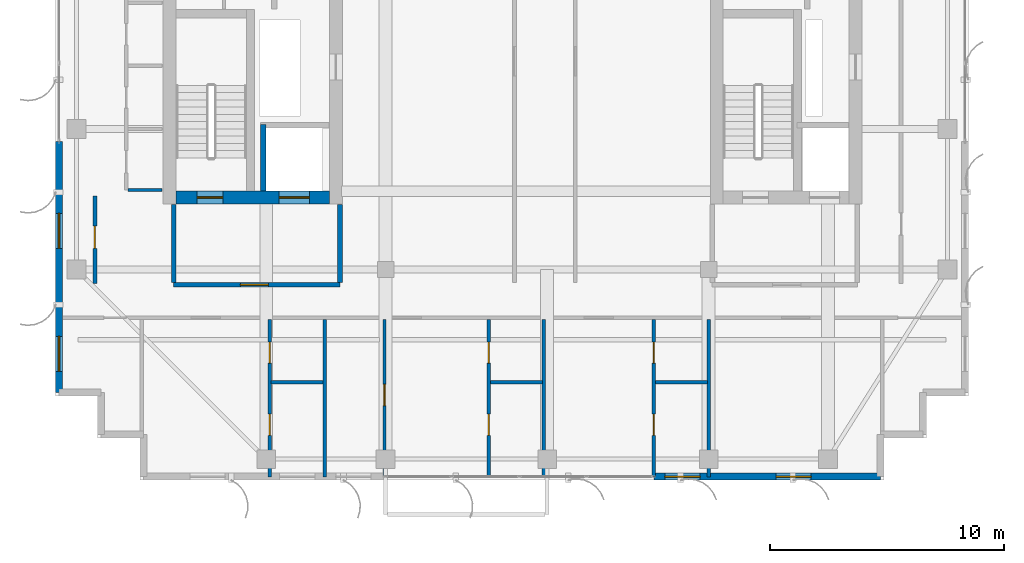
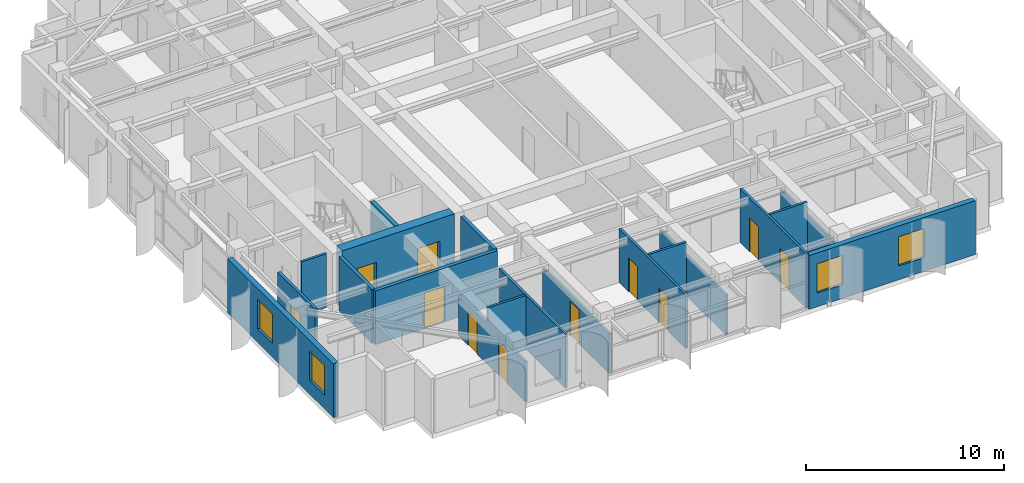
# One storey, part 18 of 23: 19 walls, 11 doors, 4 windows, 15 openings.
"""IFC4 building model written with IfcOpenShell, lengths in metres."""

from ifc_helpers import new_model, si_unit, direction, frame, frame_2d, origin, place, context, subcontext, project, spatial, rectangle, extrude, source, transform, mapped, material, layer, layer_set, type_object, element, fill, save


model = new_model("IFC4")

# Units and contexts
model_context = context("Model", 3, precision=1e-05, world=origin(), true_north=direction((0.0, 1.0)))
body_context = subcontext(model_context, "Body", "Model", "MODEL_VIEW")
ifc_project = project(units=[si_unit("LENGTHUNIT", "METRE"), si_unit("AREAUNIT", "SQUARE_METRE"), si_unit("VOLUMEUNIT", "CUBIC_METRE"), si_unit("PLANEANGLEUNIT", "RADIAN"), si_unit("MASSUNIT", "GRAM", prefix="KILO")], contexts=[model_context])

# Site, building, storey
site_placement = place(None, origin())
site = spatial("IfcSite", under=ifc_project, at=site_placement, CompositionType="ELEMENT")
building_placement = place(site_placement, origin())
building = spatial("IfcBuilding", under=site, at=building_placement, Name="Khoralis Quay Care Tower", CompositionType="ELEMENT")
storey_placement = place(building_placement, frame((0.0, 0.0, 270.89990234375)))
storey = spatial("IfcBuildingStorey", under=building, at=storey_placement, Name="L71", CompositionType="ELEMENT", Elevation=270.89990234375)

# Wall, opening, door
ifc_material_1 = material(Name="Gypsum plasterboard on acoustic metal stud")
ifc_layer_1 = layer(ifc_material_1, 0.199951171875)
ifc_layer_set_1 = layer_set([ifc_layer_1], Name="Gypsum plasterboard on acoustic metal stud")
wall_type_1 = type_object("IfcWallType", Name="WL-COMP-200", PredefinedType="PARTITIONING", material=ifc_layer_set_1)
wall_1_placement = place(storey_placement, frame((8.050048828125, 11.35009765625, 0.0), z_axis=(0.0, 0.0, 1.0), x_axis=(1.0, 0.0, 0.0)))
wall_1 = element("IfcWall", 1, at=wall_1_placement, inside=storey, type_object=wall_type_1, Name="L71 West Firefighting Lobby South Wall", PredefinedType="PARTITIONING", context=body_context, shape_type="SweptSolid", body=[
    extrude(rectangle(XDim=7.099853515625, YDim=0.199951171875, at=frame_2d((3.5498046875, 0.0))), origin(), (0.0, 0.0, 1.0), 3.320068359375),
])
opening_1_placement = place(wall_1_placement, frame((2.846435546875, 0.0, 0.0)))
opening_1 = element("IfcOpeningElement", 2, at=opening_1_placement, cuts=wall_1, Name="Opening FD1", PredefinedType="OPENING", context=body_context, shape_type="SweptSolid", body=[
    extrude(rectangle(XDim=1.199951171875, YDim=2.199951171875, at=frame_2d((0.60009765625, 1.10009765625))), frame((0.0, 0.10986328125, 0.0), z_axis=(0.0, -1.0, 0.0), x_axis=(1.0, 0.0, 0.0)), (0.0, 0.0, 1.0), 0.219970703125),
])
ifc_material_2 = material(Name="Fire-rated painted steel", Category="steel")
door_type_1 = type_object("IfcDoorType", Name="DR-FFL-1200X2200", OperationType="NOTDEFINED", PredefinedType="DOOR", material=ifc_material_2)
shared_shape_1 = source(origin(), body_context, "Body", "SweptSolid", [
    extrude(rectangle(XDim=1.199951171875, YDim=2.199951171875, at=frame_2d((0.60009765625, 1.10009765625))), frame((0.0, 0.02490234375, 0.0), z_axis=(0.0, -1.0, 0.0), x_axis=(1.0, 0.0, 0.0)), (0.0, 0.0, 1.0), 0.050048828125),
])
door_1_placement = place(opening_1_placement, origin())
door_1 = element("IfcDoor", 3, at=door_1_placement, inside=storey, type_object=door_type_1, Name="L71 West Firefighting Lobby Fire Door", OperationType="SINGLE_SWING_LEFT", OverallHeight=2.199951171875, OverallWidth=1.199951171875, PredefinedType="DOOR", context=body_context, shape_type="MappedRepresentation", body=[
    mapped(shared_shape_1, transform((0.0, 0.0, 0.0), scale=1.0)),
])
fill(opening_1, door_1)

# Walls
for number, where, z_axis, x_axis, name in (
    (4, (8.050048828125, 11.445068359375, 0.0), (0.0, 0.0, 1.0), (0.0, 1.0, 0.0), "L71 West Firefighting Lobby West Wall"),
    (5, (15.14990234375, 11.445068359375, 0.0), (0.0, 0.0, 1.0), (0.0, 1.0, 0.0), "L71 West Firefighting Lobby East Wall"),
):
    element("IfcWall", number, at=place(storey_placement, frame(where, z_axis=z_axis, x_axis=x_axis)), inside=storey, type_object=wall_type_1, Name=name, PredefinedType="PARTITIONING", context=body_context, shape_type="SweptSolid", body=[
        extrude(rectangle(XDim=3.3349609375, YDim=0.199951171875, at=frame_2d((1.66748046875, 0.0))), origin(), (0.0, 0.0, 1.0), 3.320068359375),
    ])

# Wall, openings, doors
ifc_material_3 = material(Name="Concrete C65/80", Category="concrete")
ifc_layer_2 = layer(ifc_material_3, 0.550048828125)
ifc_layer_set_2 = layer_set([ifc_layer_2], Name="Concrete C65/80")
wall_type_2 = type_object("IfcWallType", Name="WL-CORE-550", PredefinedType="SHEAR", material=ifc_layer_set_2)
wall_2_placement = place(storey_placement, frame((8.14990234375, 15.074951171875, 0.0), z_axis=(0.0, 0.0, 1.0), x_axis=(1.0, 0.0, 0.0)))
wall_2 = element("IfcWall", 6, at=wall_2_placement, inside=storey, type_object=wall_type_2, Name="L71 WCORE South Shear Wall", PredefinedType="SHEAR", context=body_context, shape_type="SweptSolid", body=[
    extrude(rectangle(XDim=6.550048828125, YDim=0.550048828125, at=frame_2d((3.27490234375, 0.0))), origin(), (0.0, 0.0, 1.0), 3.60009765625),
])
opening_2_placement = place(wall_2_placement, frame((0.89990234375, 0.0, 0.0)))
opening_2 = element("IfcOpeningElement", 7, at=opening_2_placement, cuts=wall_2, Name="Opening SD1", PredefinedType="OPENING", context=body_context, shape_type="SweptSolid", body=[
    extrude(rectangle(XDim=1.10009765625, YDim=2.199951171875, at=frame_2d((0.550048828125, 1.10009765625))), frame((0.0, 0.28515625, 0.0), z_axis=(0.0, -1.0, 0.0), x_axis=(1.0, 0.0, 0.0)), (0.0, 0.0, 1.0), 0.570068359375),
])
opening_3_placement = place(wall_2_placement, frame((4.39990234375, 0.0, 0.0)))
opening_3 = element("IfcOpeningElement", 8, at=opening_3_placement, cuts=wall_2, Name="Opening LD2", PredefinedType="OPENING", context=body_context, shape_type="SweptSolid", body=[
    extrude(rectangle(XDim=1.300048828125, YDim=2.199951171875, at=frame_2d((0.64990234375, 1.10009765625))), frame((0.0, 0.28515625, 0.0), z_axis=(0.0, -1.0, 0.0), x_axis=(1.0, 0.0, 0.0)), (0.0, 0.0, 1.0), 0.570068359375),
])
door_type_2 = type_object("IfcDoorType", Name="DR-STAIR-1100X2200", OperationType="NOTDEFINED", PredefinedType="DOOR", material=ifc_material_2)
shared_shape_2 = source(origin(), body_context, "Body", "SweptSolid", [
    extrude(rectangle(XDim=1.10009765625, YDim=2.199951171875, at=frame_2d((0.550048828125, 1.10009765625))), frame((0.0, 0.02490234375, 0.0), z_axis=(0.0, -1.0, 0.0), x_axis=(1.0, 0.0, 0.0)), (0.0, 0.0, 1.0), 0.050048828125),
])
door_2_placement = place(opening_2_placement, origin())
door_2 = element("IfcDoor", 9, at=door_2_placement, inside=storey, type_object=door_type_2, Name="L71 Stair ST-T1 Fire Door", OperationType="SINGLE_SWING_LEFT", OverallHeight=2.199951171875, OverallWidth=1.10009765625, PredefinedType="DOOR", context=body_context, shape_type="MappedRepresentation", body=[
    mapped(shared_shape_2, transform((0.0, 0.0, 0.0), scale=1.0)),
])
fill(opening_2, door_2)
ifc_material_4 = material(Name="Brushed stainless steel", Category="steel")
door_type_3 = type_object("IfcDoorType", Name="DR-LIFT-1300X2200", OperationType="SLIDING_TO_RIGHT", PredefinedType="DOOR", material=ifc_material_4)
shared_shape_3 = source(origin(), body_context, "Body", "SweptSolid", [
    extrude(rectangle(XDim=1.300048828125, YDim=2.199951171875, at=frame_2d((0.64990234375, 1.10009765625))), frame((0.0, 0.02490234375, 0.0), z_axis=(0.0, -1.0, 0.0), x_axis=(1.0, 0.0, 0.0)), (0.0, 0.0, 1.0), 0.050048828125),
])
door_3_placement = place(opening_3_placement, origin())
door_3 = element("IfcDoor", 10, at=door_3_placement, inside=storey, type_object=door_type_3, Name="L71 Firefighting Lift FFL-1 Landing Door", OperationType="SLIDING_TO_RIGHT", OverallHeight=2.199951171875, OverallWidth=1.300048828125, PredefinedType="DOOR", context=body_context, shape_type="MappedRepresentation", body=[
    mapped(shared_shape_3, transform((0.0, 0.0, 0.0), scale=1.0)),
])
fill(opening_3, door_3)

# Wall, opening, door
ifc_layer_3 = layer(ifc_material_1, 0.1650390625)
ifc_layer_set_3 = layer_set([ifc_layer_3], Name="Gypsum plasterboard on acoustic metal stud")
wall_type_3 = type_object("IfcWallType", Name="WL-CORR-165", PredefinedType="PARTITIONING", material=ifc_layer_set_3)
wall_3_placement = place(storey_placement, frame((4.679931640625, 11.39990234375, 0.0), z_axis=(0.0, 0.0, 1.0), x_axis=(0.0, 1.0, 0.0)))
wall_3 = element("IfcWall", 11, at=wall_3_placement, inside=storey, type_object=wall_type_3, Name="L71 West Sky Sunroom South Wall", PredefinedType="PARTITIONING", context=body_context, shape_type="SweptSolid", body=[
    extrude(rectangle(XDim=3.75, YDim=0.1650390625, at=frame_2d((1.875, 0.0))), origin(), (0.0, 0.0, 1.0), 3.320068359375),
])
opening_4_placement = place(wall_3_placement, frame((1.5, 0.0, 0.0)))
opening_4 = element("IfcOpeningElement", 12, at=opening_4_placement, cuts=wall_3, Name="Opening ID1", PredefinedType="OPENING", context=body_context, shape_type="SweptSolid", body=[
    extrude(rectangle(XDim=0.949951171875, YDim=2.10009765625, at=frame_2d((0.47509765625, 1.050048828125))), frame((0.0, 0.092529296875, 0.0), z_axis=(0.0, -1.0, 0.0), x_axis=(1.0, 0.0, 0.0)), (0.0, 0.0, 1.0), 0.18505859375),
])
ifc_material_5 = material(Name="Acoustic hardwood timber", Category="wood")
door_type_4 = type_object("IfcDoorType", Name="DR-ROOM-950X2100", OperationType="NOTDEFINED", PredefinedType="DOOR", material=ifc_material_5)
shared_shape_4 = source(origin(), body_context, "Body", "SweptSolid", [
    extrude(rectangle(XDim=0.949951171875, YDim=2.10009765625, at=frame_2d((0.47509765625, 1.050048828125))), frame((0.0, 0.02490234375, 0.0), z_axis=(0.0, -1.0, 0.0), x_axis=(1.0, 0.0, 0.0)), (0.0, 0.0, 1.0), 0.050048828125),
])
door_4_placement = place(opening_4_placement, frame((0.949951171875, 0.0, 0.0), z_axis=(0.0, 0.0, 1.0), x_axis=(-1.0, 0.0, 0.0)))
door_4 = element("IfcDoor", 13, at=door_4_placement, inside=storey, type_object=door_type_4, Name="L71 West Sunroom Door", OperationType="SINGLE_SWING_LEFT", OverallHeight=2.10009765625, OverallWidth=0.949951171875, PredefinedType="DOOR", context=body_context, shape_type="MappedRepresentation", body=[
    mapped(shared_shape_4, transform((0.0, 0.0, 0.0), scale=1.0)),
])
fill(opening_4, door_4)

# Wall, openings, windows
ifc_material_6 = material(Name="Precast concrete C45/55", Category="concrete")
ifc_layer_4 = layer(ifc_material_6, 0.300048828125)
ifc_layer_set_4 = layer_set([ifc_layer_4], Name="Precast concrete C45/55")
wall_type_4 = type_object("IfcWallType", Name="WL-EXT-REF-300", PredefinedType="SOLIDWALL", material=ifc_layer_set_4)
wall_4_placement = place(storey_placement, frame((28.56005859375, 3.14990234375, 0.0), z_axis=(0.0, 0.0, 1.0), x_axis=(1.0, 0.0, 0.0)))
wall_4 = element("IfcWall", 14, at=wall_4_placement, inside=storey, type_object=wall_type_4, Name="L71 External Facade Wall WL-EXT-L71-P1-E0B", PredefinedType="SOLIDWALL", context=body_context, shape_type="SweptSolid", body=[
    extrude(rectangle(XDim=9.68994140625, YDim=0.300048828125, at=frame_2d((4.844970703125, 0.0))), origin(), (0.0, 0.0, 1.0), 3.320068359375),
])
opening_5_placement = place(wall_4_placement, frame((0.47509765625, 0.0, 0.85009765625)))
opening_5 = element("IfcOpeningElement", 15, at=opening_5_placement, cuts=wall_4, Name="Opening W3", PredefinedType="OPENING", context=body_context, shape_type="SweptSolid", body=[
    extrude(rectangle(XDim=1.5, YDim=1.800048828125, at=frame_2d((0.75, 0.89990234375))), frame((0.0, 0.16015625, 0.0), z_axis=(0.0, -1.0, 0.0), x_axis=(1.0, 0.0, 0.0)), (0.0, 0.0, 1.0), 0.320068359375),
])
opening_6_placement = place(wall_4_placement, frame((5.219970703125, 0.0, 0.85009765625)))
opening_6 = element("IfcOpeningElement", 16, at=opening_6_placement, cuts=wall_4, Name="Opening W3", PredefinedType="OPENING", context=body_context, shape_type="SweptSolid", body=[
    extrude(rectangle(XDim=1.5, YDim=1.800048828125, at=frame_2d((0.75, 0.89990234375))), frame((0.0, 0.16015625, 0.0), z_axis=(0.0, -1.0, 0.0), x_axis=(1.0, 0.0, 0.0)), (0.0, 0.0, 1.0), 0.320068359375),
])
ifc_material_7 = material(Name="Low-E solar-control double glazing", Category="glass")
window_type = type_object("IfcWindowType", Name="WN-CLIN-1500X1800", PartitioningType="SINGLE_PANEL", PredefinedType="WINDOW", material=ifc_material_7)
shared_shape_5 = source(origin(), body_context, "Body", "SweptSolid", [
    extrude(rectangle(XDim=1.5, YDim=1.800048828125, at=frame_2d((0.75, 0.89990234375))), frame((0.0, 0.030029296875, 0.0), z_axis=(0.0, -1.0, 0.0), x_axis=(1.0, 0.0, 0.0)), (0.0, 0.0, 1.0), 0.06005859375),
])
window_1_placement = place(opening_5_placement, origin())
window_1 = element("IfcWindow", 17, at=window_1_placement, inside=storey, type_object=window_type, Name="WN-L71-P1-E0B Facade Window 01", OverallHeight=1.800048828125, OverallWidth=1.5, PartitioningType="SINGLE_PANEL", PredefinedType="WINDOW", context=body_context, shape_type="MappedRepresentation", body=[
    mapped(shared_shape_5, transform((0.0, 0.0, 0.0), scale=1.0)),
])
fill(opening_5, window_1)
window_2_placement = place(opening_6_placement, origin())
window_2 = element("IfcWindow", 18, at=window_2_placement, inside=storey, type_object=window_type, Name="WN-L71-P1-E0B Facade Window 02", OverallHeight=1.800048828125, OverallWidth=1.5, PartitioningType="SINGLE_PANEL", PredefinedType="WINDOW", context=body_context, shape_type="MappedRepresentation", body=[
    mapped(shared_shape_5, transform((0.0, 0.0, 0.0), scale=1.0)),
])
fill(opening_6, window_2)

wall_5_placement = place(storey_placement, frame((3.14990234375, 17.4599609375, 0.0), z_axis=(0.0, 0.0, 1.0), x_axis=(0.0, -1.0, 0.0)))
wall_5 = element("IfcWall", 19, at=wall_5_placement, inside=storey, type_object=wall_type_4, Name="L71 External Facade Wall WL-EXT-L71-P1-E15B", PredefinedType="SOLIDWALL", context=body_context, shape_type="SweptSolid", body=[
    extrude(rectangle(XDim=10.7099609375, YDim=0.300048828125, at=frame_2d((5.35498046875, 0.0))), origin(), (0.0, 0.0, 1.0), 3.320068359375),
])
opening_7_placement = place(wall_5_placement, frame((3.06005859375, 0.0, 0.85009765625)))
opening_7 = element("IfcOpeningElement", 20, at=opening_7_placement, cuts=wall_5, Name="Opening W3", PredefinedType="OPENING", context=body_context, shape_type="SweptSolid", body=[
    extrude(rectangle(XDim=1.5, YDim=1.800048828125, at=frame_2d((0.75, 0.89990234375))), frame((0.0, 0.16015625, 0.0), z_axis=(0.0, -1.0, 0.0), x_axis=(1.0, 0.0, 0.0)), (0.0, 0.0, 1.0), 0.320068359375),
])
opening_8_placement = place(wall_5_placement, frame((8.31494140625, 0.0, 0.85009765625)))
opening_8 = element("IfcOpeningElement", 21, at=opening_8_placement, cuts=wall_5, Name="Opening W3", PredefinedType="OPENING", context=body_context, shape_type="SweptSolid", body=[
    extrude(rectangle(XDim=1.5, YDim=1.800048828125, at=frame_2d((0.75, 0.89990234375))), frame((0.0, 0.16015625, 0.0), z_axis=(0.0, -1.0, 0.0), x_axis=(1.0, 0.0, 0.0)), (0.0, 0.0, 1.0), 0.320068359375),
])
window_3_placement = place(opening_7_placement, origin())
window_3 = element("IfcWindow", 22, at=window_3_placement, inside=storey, type_object=window_type, Name="WN-L71-P1-E15B Facade Window 01", OverallHeight=1.800048828125, OverallWidth=1.5, PartitioningType="SINGLE_PANEL", PredefinedType="WINDOW", context=body_context, shape_type="MappedRepresentation", body=[
    mapped(shared_shape_5, transform((0.0, 0.0, 0.0), scale=1.0)),
])
fill(opening_7, window_3)
window_4_placement = place(opening_8_placement, origin())
window_4 = element("IfcWindow", 23, at=window_4_placement, inside=storey, type_object=window_type, Name="WN-L71-P1-E15B Facade Window 02", OverallHeight=1.800048828125, OverallWidth=1.5, PartitioningType="SINGLE_PANEL", PredefinedType="WINDOW", context=body_context, shape_type="MappedRepresentation", body=[
    mapped(shared_shape_5, transform((0.0, 0.0, 0.0), scale=1.0)),
])
fill(opening_8, window_4)

# Wall, openings, doors
ifc_material_8 = material(Name="Moisture-resistant gypsum and ceramic tile")
ifc_layer_5 = layer(ifc_material_8, 0.280029296875)
ifc_layer_set_5 = layer_set([ifc_layer_5], Name="Moisture-resistant gypsum and ceramic tile")
wall_type_5 = type_object("IfcWallType", Name="WL-PLUMB-280", PredefinedType="PLUMBINGWALL", material=ifc_layer_set_5)
wall_6_placement = place(storey_placement, frame((12.14990234375, 3.14501953125, 0.0), z_axis=(0.0, 0.0, 1.0), x_axis=(0.0, 1.0, 0.0)))
wall_6 = element("IfcWall", 24, at=wall_6_placement, inside=storey, type_object=wall_type_5, Name="L71 Care Suite 0 En-Suite Wall V", PredefinedType="PLUMBINGWALL", context=body_context, shape_type="SweptSolid", body=[
    extrude(rectangle(XDim=6.717529296875, YDim=0.139892578125, at=frame_2d((3.35888671875, 0.0))), origin(), (0.0, 0.0, 1.0), 2.47021484375),
])
opening_9_placement = place(wall_6_placement, frame((4.85498046875, 0.0, 0.0)))
opening_9 = element("IfcOpeningElement", 25, at=opening_9_placement, cuts=wall_6, Name="Opening WD1", PredefinedType="OPENING", context=body_context, shape_type="SweptSolid", body=[
    extrude(rectangle(XDim=0.89990234375, YDim=2.10009765625, at=frame_2d((0.449951171875, 1.050048828125))), frame((0.0, 0.080078125, 0.0), z_axis=(0.0, -1.0, 0.0), x_axis=(1.0, 0.0, 0.0)), (0.0, 0.0, 1.0), 0.159912109375),
])
opening_10_placement = place(wall_6_placement, frame((1.77490234375, 0.0, 0.0)))
opening_10 = element("IfcOpeningElement", 26, at=opening_10_placement, cuts=wall_6, Name="Opening WD1", PredefinedType="OPENING", context=body_context, shape_type="SweptSolid", body=[
    extrude(rectangle(XDim=0.89990234375, YDim=2.10009765625, at=frame_2d((0.449951171875, 1.050048828125))), frame((0.0, 0.080078125, 0.0), z_axis=(0.0, -1.0, 0.0), x_axis=(1.0, 0.0, 0.0)), (0.0, 0.0, 1.0), 0.159912109375),
])
door_type_5 = type_object("IfcDoorType", Name="DR-BATH-900X2100", OperationType="NOTDEFINED", PredefinedType="DOOR", material=ifc_material_5)
shared_shape_6 = source(origin(), body_context, "Body", "SweptSolid", [
    extrude(rectangle(XDim=0.89990234375, YDim=2.10009765625, at=frame_2d((0.449951171875, 1.050048828125))), frame((0.0, 0.02490234375, 0.0), z_axis=(0.0, -1.0, 0.0), x_axis=(1.0, 0.0, 0.0)), (0.0, 0.0, 1.0), 0.050048828125),
])
door_5_placement = place(opening_9_placement, frame((0.89990234375, 0.0, 0.0), z_axis=(0.0, 0.0, 1.0), x_axis=(-1.0, 0.0, 0.0)))
door_5 = element("IfcDoor", 27, at=door_5_placement, inside=storey, type_object=door_type_5, Name="L71 Care CENS Door", OperationType="SINGLE_SWING_RIGHT", OverallHeight=2.10009765625, OverallWidth=0.89990234375, PredefinedType="DOOR", context=body_context, shape_type="MappedRepresentation", body=[
    mapped(shared_shape_6, transform((0.0, 0.0, 0.0), scale=1.0)),
])
fill(opening_9, door_5)
door_6_placement = place(opening_10_placement, frame((0.89990234375, 0.0, 0.0), z_axis=(0.0, 0.0, 1.0), x_axis=(-1.0, 0.0, 0.0)))
door_6 = element("IfcDoor", 28, at=door_6_placement, inside=storey, type_object=door_type_5, Name="L71 Care CSIT Door", OperationType="SINGLE_SWING_LEFT", OverallHeight=2.10009765625, OverallWidth=0.89990234375, PredefinedType="DOOR", context=body_context, shape_type="MappedRepresentation", body=[
    mapped(shared_shape_6, transform((0.0, 0.0, 0.0), scale=1.0)),
])
fill(opening_10, door_6)

# Wall
wall_7_placement = place(storey_placement, frame((12.215087890625, 7.18994140625, 0.0), z_axis=(0.0, 0.0, 1.0), x_axis=(1.0, 0.0, 0.0)))
element("IfcWall", 29, at=wall_7_placement, inside=storey, type_object=wall_type_5, Name="L71 Care Suite 0 En-Suite Wall H", PredefinedType="PLUMBINGWALL", context=body_context, shape_type="SweptSolid", body=[
    extrude(rectangle(XDim=2.219970703125, YDim=0.139892578125, at=frame_2d((1.10986328125, 0.0))), origin(), (0.0, 0.0, 1.0), 3.320068359375),
])

# Wall, openings, doors
wall_8_placement = place(storey_placement, frame((21.510009765625, 3.14501953125, 0.0), z_axis=(0.0, 0.0, 1.0), x_axis=(0.0, 1.0, 0.0)))
wall_8 = element("IfcWall", 30, at=wall_8_placement, inside=storey, type_object=wall_type_5, Name="L71 Care Suite 1 En-Suite Wall V", PredefinedType="PLUMBINGWALL", context=body_context, shape_type="SweptSolid", body=[
    extrude(rectangle(XDim=6.717529296875, YDim=0.139892578125, at=frame_2d((3.35888671875, 0.0))), origin(), (0.0, 0.0, 1.0), 3.320068359375),
])
opening_11_placement = place(wall_8_placement, frame((4.85498046875, 0.0, 0.0)))
opening_11 = element("IfcOpeningElement", 31, at=opening_11_placement, cuts=wall_8, Name="Opening WD1", PredefinedType="OPENING", context=body_context, shape_type="SweptSolid", body=[
    extrude(rectangle(XDim=0.89990234375, YDim=2.10009765625, at=frame_2d((0.449951171875, 1.050048828125))), frame((0.0, 0.080078125, 0.0), z_axis=(0.0, -1.0, 0.0), x_axis=(1.0, 0.0, 0.0)), (0.0, 0.0, 1.0), 0.159912109375),
])
opening_12_placement = place(wall_8_placement, frame((1.77490234375, 0.0, 0.0)))
opening_12 = element("IfcOpeningElement", 32, at=opening_12_placement, cuts=wall_8, Name="Opening WD1", PredefinedType="OPENING", context=body_context, shape_type="SweptSolid", body=[
    extrude(rectangle(XDim=0.89990234375, YDim=2.10009765625, at=frame_2d((0.449951171875, 1.050048828125))), frame((0.0, 0.080078125, 0.0), z_axis=(0.0, -1.0, 0.0), x_axis=(1.0, 0.0, 0.0)), (0.0, 0.0, 1.0), 0.159912109375),
])
door_7_placement = place(opening_11_placement, frame((0.89990234375, 0.0, 0.0), z_axis=(0.0, 0.0, 1.0), x_axis=(-1.0, 0.0, 0.0)))
door_7 = element("IfcDoor", 33, at=door_7_placement, inside=storey, type_object=door_type_5, Name="L71 Care CENS Door", OperationType="SINGLE_SWING_LEFT", OverallHeight=2.10009765625, OverallWidth=0.89990234375, PredefinedType="DOOR", context=body_context, shape_type="MappedRepresentation", body=[
    mapped(shared_shape_6, transform((0.0, 0.0, 0.0), scale=1.0)),
])
fill(opening_11, door_7)
door_8_placement = place(opening_12_placement, frame((0.89990234375, 0.0, 0.0), z_axis=(0.0, 0.0, 1.0), x_axis=(-1.0, 0.0, 0.0)))
door_8 = element("IfcDoor", 34, at=door_8_placement, inside=storey, type_object=door_type_5, Name="L71 Care CSIT Door", OperationType="SINGLE_SWING_RIGHT", OverallHeight=2.10009765625, OverallWidth=0.89990234375, PredefinedType="DOOR", context=body_context, shape_type="MappedRepresentation", body=[
    mapped(shared_shape_6, transform((0.0, 0.0, 0.0), scale=1.0)),
])
fill(opening_12, door_8)

# Wall
wall_9_placement = place(storey_placement, frame((21.574951171875, 7.18994140625, 0.0), z_axis=(0.0, 0.0, 1.0), x_axis=(1.0, 0.0, 0.0)))
element("IfcWall", 35, at=wall_9_placement, inside=storey, type_object=wall_type_5, Name="L71 Care Suite 1 En-Suite Wall H", PredefinedType="PLUMBINGWALL", context=body_context, shape_type="SweptSolid", body=[
    extrude(rectangle(XDim=2.219970703125, YDim=0.139892578125, at=frame_2d((1.10986328125, 0.0))), origin(), (0.0, 0.0, 1.0), 3.320068359375),
])

# Wall, openings, doors
wall_10_placement = place(storey_placement, frame((28.56005859375, 3.14501953125, 0.0), z_axis=(0.0, 0.0, 1.0), x_axis=(0.0, 1.0, 0.0)))
wall_10 = element("IfcWall", 36, at=wall_10_placement, inside=storey, type_object=wall_type_5, Name="L71 Care Suite 2 En-Suite Wall V", PredefinedType="PLUMBINGWALL", context=body_context, shape_type="SweptSolid", body=[
    extrude(rectangle(XDim=6.717529296875, YDim=0.139892578125, at=frame_2d((3.35888671875, 0.0))), origin(), (0.0, 0.0, 1.0), 3.320068359375),
])
opening_13_placement = place(wall_10_placement, frame((4.85498046875, 0.0, 0.0)))
opening_13 = element("IfcOpeningElement", 37, at=opening_13_placement, cuts=wall_10, Name="Opening WD1", PredefinedType="OPENING", context=body_context, shape_type="SweptSolid", body=[
    extrude(rectangle(XDim=0.89990234375, YDim=2.10009765625, at=frame_2d((0.449951171875, 1.050048828125))), frame((0.0, 0.080078125, 0.0), z_axis=(0.0, -1.0, 0.0), x_axis=(1.0, 0.0, 0.0)), (0.0, 0.0, 1.0), 0.159912109375),
])
opening_14_placement = place(wall_10_placement, frame((1.77490234375, 0.0, 0.0)))
opening_14 = element("IfcOpeningElement", 38, at=opening_14_placement, cuts=wall_10, Name="Opening WD1", PredefinedType="OPENING", context=body_context, shape_type="SweptSolid", body=[
    extrude(rectangle(XDim=0.89990234375, YDim=2.10009765625, at=frame_2d((0.449951171875, 1.050048828125))), frame((0.0, 0.080078125, 0.0), z_axis=(0.0, -1.0, 0.0), x_axis=(1.0, 0.0, 0.0)), (0.0, 0.0, 1.0), 0.159912109375),
])
door_9_placement = place(opening_13_placement, frame((0.89990234375, 0.0, 0.0), z_axis=(0.0, 0.0, 1.0), x_axis=(-1.0, 0.0, 0.0)))
door_9 = element("IfcDoor", 39, at=door_9_placement, inside=storey, type_object=door_type_5, Name="L71 Care CENS Door", OperationType="SINGLE_SWING_RIGHT", OverallHeight=2.10009765625, OverallWidth=0.89990234375, PredefinedType="DOOR", context=body_context, shape_type="MappedRepresentation", body=[
    mapped(shared_shape_6, transform((0.0, 0.0, 0.0), scale=1.0)),
])
fill(opening_13, door_9)
door_10_placement = place(opening_14_placement, frame((0.89990234375, 0.0, 0.0), z_axis=(0.0, 0.0, 1.0), x_axis=(-1.0, 0.0, 0.0)))
door_10 = element("IfcDoor", 40, at=door_10_placement, inside=storey, type_object=door_type_5, Name="L71 Care CSIT Door", OperationType="SINGLE_SWING_LEFT", OverallHeight=2.10009765625, OverallWidth=0.89990234375, PredefinedType="DOOR", context=body_context, shape_type="MappedRepresentation", body=[
    mapped(shared_shape_6, transform((0.0, 0.0, 0.0), scale=1.0)),
])
fill(opening_14, door_10)

# Walls
wall_11_placement = place(storey_placement, frame((28.625, 7.18994140625, 0.0), z_axis=(0.0, 0.0, 1.0), x_axis=(1.0, 0.0, 0.0)))
element("IfcWall", 41, at=wall_11_placement, inside=storey, type_object=wall_type_5, Name="L71 Care Suite 2 En-Suite Wall H", PredefinedType="PLUMBINGWALL", context=body_context, shape_type="SweptSolid", body=[
    extrude(rectangle(XDim=2.219970703125, YDim=0.139892578125, at=frame_2d((1.10986328125, 0.0))), origin(), (0.0, 0.0, 1.0), 3.320068359375),
])
ifc_layer_6 = layer(ifc_material_1, 0.239990234375)
ifc_layer_set_6 = layer_set([ifc_layer_6], Name="Gypsum plasterboard on acoustic metal stud")
wall_type_6 = type_object("IfcWallType", Name="WL-SHAFT-240", PredefinedType="PARTITIONING", material=ifc_layer_set_6)
wall_12_placement = place(storey_placement, frame((11.8798828125, 15.35009765625, 0.0), z_axis=(0.0, 0.0, 1.0), x_axis=(0.0, 1.0, 0.0)))
element("IfcWall", 42, at=wall_12_placement, inside=storey, type_object=wall_type_6, Name="L71 FFL-1 Shaft Wall West", PredefinedType="PARTITIONING", context=body_context, shape_type="SweptSolid", body=[
    extrude(rectangle(XDim=2.849853515625, YDim=0.239990234375, at=frame_2d((1.4248046875, 0.0))), origin(), (0.0, 0.0, 1.0), 3.320068359375),
])
ifc_layer_7 = layer(ifc_material_1, 0.139892578125)
ifc_layer_set_7 = layer_set([ifc_layer_7], Name="Gypsum plasterboard on acoustic metal stud")
wall_type_7 = type_object("IfcWallType", Name="WL-UNIT-140", PredefinedType="PARTITIONING", material=ifc_layer_set_7)
wall_13_placement = place(storey_placement, frame((6.097412109375, 15.39990234375, 0.0), z_axis=(0.0, 0.0, 1.0), x_axis=(1.0, 0.0, 0.0)))
element("IfcWall", 43, at=wall_13_placement, inside=storey, type_object=wall_type_7, Name="L71 West Flank South Cap", PredefinedType="PARTITIONING", context=body_context, shape_type="SweptSolid", body=[
    extrude(rectangle(XDim=1.462646484375, YDim=0.139892578125, at=frame_2d((0.7314453125, 0.0))), origin(), (0.0, 0.0, 1.0), 3.320068359375),
])
wall_14_placement = place(storey_placement, frame((14.5, 3.14501953125, 0.0), z_axis=(0.0, 0.0, 1.0), x_axis=(0.0, 1.0, 0.0)))
element("IfcWall", 44, at=wall_14_placement, inside=storey, type_object=wall_type_7, Name="L71 SB Demising Wall 1", PredefinedType="PARTITIONING", context=body_context, shape_type="SweptSolid", body=[
    extrude(rectangle(XDim=6.717529296875, YDim=0.139892578125, at=frame_2d((3.35888671875, 0.0))), origin(), (0.0, 0.0, 1.0), 3.320068359375),
])
for number, where, z_axis, x_axis, name in (
    (45, (23.860107421875, 3.14501953125, 0.0), (0.0, 0.0, 1.0), (0.0, 1.0, 0.0), "L71 SB Demising Wall 2"),
    (46, (30.909912109375, 3.14501953125, 0.0), (0.0, 0.0, 1.0), (0.0, 1.0, 0.0), "L71 SB Demising Wall 3"),
):
    element("IfcWall", number, at=place(storey_placement, frame(where, z_axis=z_axis, x_axis=x_axis)), inside=storey, type_object=wall_type_7, Name=name, PredefinedType="PARTITIONING", context=body_context, shape_type="SweptSolid", body=[
        extrude(rectangle(XDim=6.717529296875, YDim=0.139892578125, at=frame_2d((3.35888671875, 0.0))), origin(), (0.0, 0.0, 1.0), 2.47021484375),
    ])

# Wall, opening, door
wall_15_placement = place(storey_placement, frame((17.050048828125, 3.14501953125, 0.0), z_axis=(0.0, 0.0, 1.0), x_axis=(0.0, 1.0, 0.0)))
wall_15 = element("IfcWall", 47, at=wall_15_placement, inside=storey, type_object=wall_type_7, Name="Skilled Care Bedroom L71-SB1 Sub-Partition", PredefinedType="PARTITIONING", context=body_context, shape_type="SweptSolid", body=[
    extrude(rectangle(XDim=6.717529296875, YDim=0.139892578125, at=frame_2d((3.35888671875, 0.0))), origin(), (0.0, 0.0, 1.0), 2.47021484375),
])
opening_15_placement = place(wall_15_placement, frame((3.044921875, 0.0, 0.0)))
opening_15 = element("IfcOpeningElement", 48, at=opening_15_placement, cuts=wall_15, Name="Opening WD1", PredefinedType="OPENING", context=body_context, shape_type="SweptSolid", body=[
    extrude(rectangle(XDim=0.89990234375, YDim=2.10009765625, at=frame_2d((0.449951171875, 1.050048828125))), frame((0.0, 0.080078125, 0.0), z_axis=(0.0, -1.0, 0.0), x_axis=(1.0, 0.0, 0.0)), (0.0, 0.0, 1.0), 0.159912109375),
])
door_11_placement = place(opening_15_placement, origin())
door_11 = element("IfcDoor", 49, at=door_11_placement, inside=storey, type_object=door_type_5, Name="Private Study & Reading Alcove ARE1 Door", OperationType="SINGLE_SWING_LEFT", OverallHeight=2.10009765625, OverallWidth=0.89990234375, PredefinedType="DOOR", context=body_context, shape_type="MappedRepresentation", body=[
    mapped(shared_shape_6, transform((0.0, 0.0, 0.0), scale=1.0)),
])
fill(opening_15, door_11)

save(model, "model.ifc")
